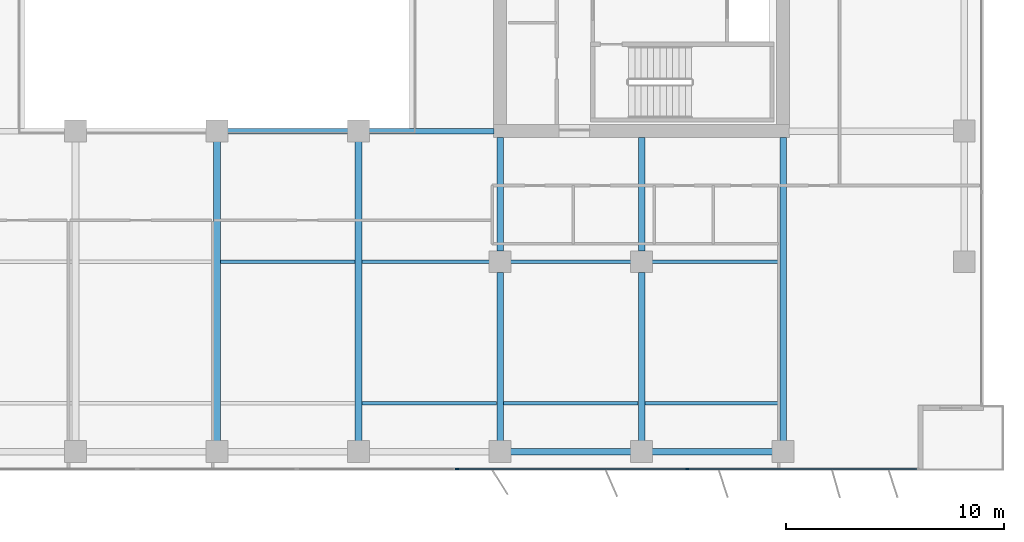
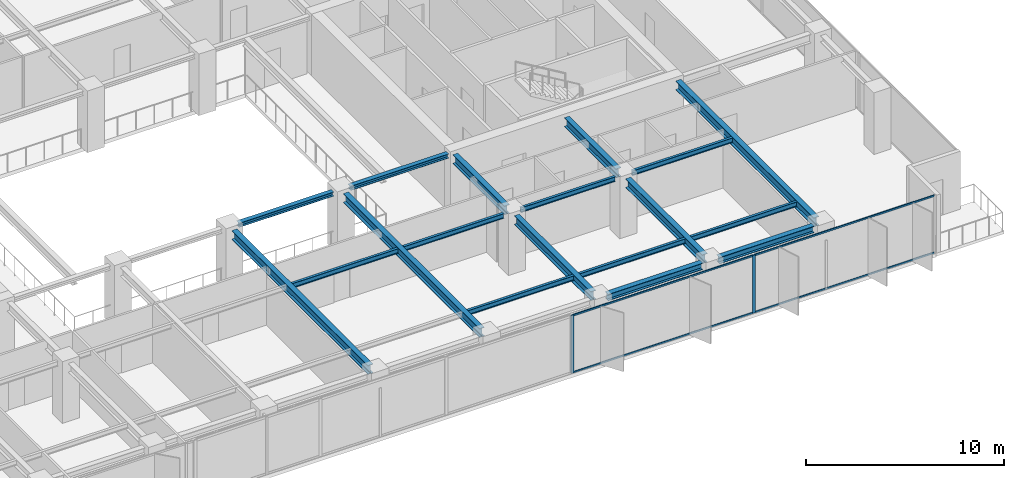
# One storey, part 6 of 22: 18 beams, 6 members, 1 element without a shape of its own.
"""IFC4 building model written with IfcOpenShell, lengths in metres."""

from ifc_helpers import new_model, si_unit, direction, frame, origin, origin_2d, place, context, subcontext, project, spatial, rectangle, i_section, extrude, material, layer, layer_set, material_profile, profile_set, type_object, element, aggregate, save


model = new_model("IFC4")

# Units and contexts
model_context = context("Model", 3, precision=1e-05, world=origin(), true_north=direction((0.0, 1.0)))
body_context = subcontext(model_context, "Body", "Model", "MODEL_VIEW")
ifc_project = project(units=[si_unit("LENGTHUNIT", "METRE"), si_unit("AREAUNIT", "SQUARE_METRE"), si_unit("VOLUMEUNIT", "CUBIC_METRE"), si_unit("PLANEANGLEUNIT", "RADIAN"), si_unit("MASSUNIT", "GRAM", prefix="KILO")], contexts=[model_context])

# Site, building, storey
site_placement = place(None, origin())
site = spatial("IfcSite", under=ifc_project, at=site_placement, CompositionType="ELEMENT")
building_placement = place(site_placement, origin())
building = spatial("IfcBuilding", under=site, at=building_placement, Name="Putna Gate Headquarters", CompositionType="ELEMENT")
storey_placement = place(building_placement, frame((0.0, 0.0, 182.199951171875)))
storey = spatial("IfcBuildingStorey", under=building, at=storey_placement, Name="L45", CompositionType="ELEMENT", Elevation=182.199951171875)

# Beams
ifc_material_1 = material(Name="Steel S355J2", Category="steel")
ifc_material_profile_1 = material_profile(ifc_material_1, i_section(OverallWidth=0.260009765625, OverallDepth=0.260009765625, WebThickness=0.010009765625, FlangeThickness=0.017578125, at=origin_2d()), Name="Steel S355J2")
ifc_profile_set_1 = profile_set([ifc_material_profile_1], Name="Steel S355J2")
beam_type_1 = type_object("IfcBeamType", Name="BM-ATRIUM-HEB260", PredefinedType="BEAM", material=ifc_profile_set_1)
beam_1_placement = place(storey_placement, frame((39.488037109375, 19.0, 3.442138671875), z_axis=(1.0, 0.0, 0.0), x_axis=(0.0, 1.0, 0.0)))
element("IfcBeam", 1, at=beam_1_placement, inside=storey, type_object=beam_type_1, Name="L45 Atrium Edge Beam AS3", PredefinedType="BEAM", context=body_context, shape_type="SweptSolid", body=[
    extrude(i_section(OverallWidth=0.260009765625, OverallDepth=0.260009765625, WebThickness=0.010009765625, FlangeThickness=0.017578125, at=origin_2d()), origin(), (0.0, 0.0, 1.0), 5.52392578125),
])
beam_2_placement = place(storey_placement, frame((45.988037109375, 19.0, 3.442138671875), z_axis=(1.0, 0.0, 0.0), x_axis=(0.0, 1.0, 0.0)))
element("IfcBeam", 2, at=beam_2_placement, inside=storey, type_object=beam_type_1, Name="L45 Atrium Edge Beam AS4", PredefinedType="BEAM", context=body_context, shape_type="SweptSolid", body=[
    extrude(i_section(OverallWidth=0.260009765625, OverallDepth=0.260009765625, WebThickness=0.010009765625, FlangeThickness=0.017578125, at=origin_2d()), origin(), (0.0, 0.0, 1.0), 5.72705078125),
])
ifc_material_profile_2 = material_profile(ifc_material_1, i_section(OverallWidth=0.300048828125, OverallDepth=0.550048828125, WebThickness=0.014892578125, FlangeThickness=0.029052734375, at=origin_2d()), Name="Steel S355J2")
ifc_profile_set_2 = profile_set([ifc_material_profile_2], Name="Steel S355J2")
beam_type_2 = type_object("IfcBeamType", Name="BM-GIRD-Z3-HEB550", PredefinedType="USERDEFINED", material=ifc_profile_set_2)
for number, where, z_axis, x_axis, name in (
    (3, (39.0, 4.76806640625, 3.297119140625), (0.0, 1.0, 0.0), (-1.0, 0.0, 0.0), "L45 South Primary Girder X39"),
    (4, (45.5, 4.76806640625, 3.297119140625), (0.0, 1.0, 0.0), (-1.0, 0.0, 0.0), "L45 South Primary Girder X45"),
):
    element("IfcBeam", number, at=place(storey_placement, frame(where, z_axis=z_axis, x_axis=x_axis)), inside=storey, type_object=beam_type_2, Name=name, ObjectType="GIRDER", PredefinedType="USERDEFINED", context=body_context, shape_type="SweptSolid", body=[
        extrude(i_section(OverallWidth=0.300048828125, OverallDepth=0.550048828125, WebThickness=0.014892578125, FlangeThickness=0.029052734375, at=origin_2d()), origin(), (0.0, 0.0, 1.0), 13.743896484375),
    ])
beam_3_placement = place(storey_placement, frame((52.0, 4.76806640625, 3.297119140625), z_axis=(0.0, 1.0, 0.0), x_axis=(-1.0, 0.0, 0.0)))
element("IfcBeam", 5, at=beam_3_placement, inside=storey, type_object=beam_type_2, Name="L45 South Primary Girder X52-1", ObjectType="GIRDER", PredefinedType="USERDEFINED", context=body_context, shape_type="SweptSolid", body=[
    extrude(i_section(OverallWidth=0.300048828125, OverallDepth=0.550048828125, WebThickness=0.014892578125, FlangeThickness=0.029052734375, at=origin_2d()), origin(), (0.0, 0.0, 1.0), 7.743896484375),
])
beam_4_placement = place(storey_placement, frame((52.0, 13.488037109375, 3.297119140625), z_axis=(0.0, 1.0, 0.0), x_axis=(-1.0, 0.0, 0.0)))
element("IfcBeam", 6, at=beam_4_placement, inside=storey, type_object=beam_type_2, Name="L45 South Primary Girder X52-2", ObjectType="GIRDER", PredefinedType="USERDEFINED", context=body_context, shape_type="SweptSolid", body=[
    extrude(i_section(OverallWidth=0.300048828125, OverallDepth=0.550048828125, WebThickness=0.014892578125, FlangeThickness=0.029052734375, at=origin_2d()), origin(), (0.0, 0.0, 1.0), 5.22705078125),
])
beam_5_placement = place(storey_placement, frame((58.5, 4.76806640625, 3.297119140625), z_axis=(0.0, 1.0, 0.0), x_axis=(-1.0, 0.0, 0.0)))
element("IfcBeam", 7, at=beam_5_placement, inside=storey, type_object=beam_type_2, Name="L45 South Primary Girder X58-1", ObjectType="GIRDER", PredefinedType="USERDEFINED", context=body_context, shape_type="SweptSolid", body=[
    extrude(i_section(OverallWidth=0.300048828125, OverallDepth=0.550048828125, WebThickness=0.014892578125, FlangeThickness=0.029052734375, at=origin_2d()), origin(), (0.0, 0.0, 1.0), 7.743896484375),
])
beam_6_placement = place(storey_placement, frame((58.5, 13.488037109375, 3.297119140625), z_axis=(0.0, 1.0, 0.0), x_axis=(-1.0, 0.0, 0.0)))
element("IfcBeam", 8, at=beam_6_placement, inside=storey, type_object=beam_type_2, Name="L45 South Primary Girder X58-2", ObjectType="GIRDER", PredefinedType="USERDEFINED", context=body_context, shape_type="SweptSolid", body=[
    extrude(i_section(OverallWidth=0.300048828125, OverallDepth=0.550048828125, WebThickness=0.014892578125, FlangeThickness=0.029052734375, at=origin_2d()), origin(), (0.0, 0.0, 1.0), 5.22705078125),
])
beam_7_placement = place(storey_placement, frame((65.0, 4.76806640625, 3.297119140625), z_axis=(0.0, 1.0, 0.0), x_axis=(-1.0, 0.0, 0.0)))
element("IfcBeam", 9, at=beam_7_placement, inside=storey, type_object=beam_type_2, Name="L45 South Primary Girder X65", ObjectType="GIRDER", PredefinedType="USERDEFINED", context=body_context, shape_type="SweptSolid", body=[
    extrude(i_section(OverallWidth=0.300048828125, OverallDepth=0.550048828125, WebThickness=0.014892578125, FlangeThickness=0.029052734375, at=origin_2d()), origin(), (0.0, 0.0, 1.0), 13.947021484375),
])
ifc_material_profile_3 = material_profile(ifc_material_1, i_section(OverallWidth=0.14990234375, OverallDepth=0.300048828125, WebThickness=0.007080078125, FlangeThickness=0.0107421875, at=origin_2d()), Name="Steel S355J2")
ifc_profile_set_3 = profile_set([ifc_material_profile_3], Name="Steel S355J2")
beam_type_3 = type_object("IfcBeamType", Name="BM-SEC-Z3-IPE300", PredefinedType="JOIST", material=ifc_profile_set_3)
for number, where, z_axis, x_axis, name in (
    (10, (39.154052734375, 13.0, 3.422119140625), (1.0, 0.0, 0.0), (0.0, 1.0, 0.0), "L45 South Secondary Beam 5"),
    (11, (45.654052734375, 6.5, 3.422119140625), (1.0, 0.0, 0.0), (0.0, 1.0, 0.0), "L45 South Secondary Beam 6"),
):
    element("IfcBeam", number, at=place(storey_placement, frame(where, z_axis=z_axis, x_axis=x_axis)), inside=storey, type_object=beam_type_3, Name=name, PredefinedType="JOIST", context=body_context, shape_type="SweptSolid", body=[
        extrude(i_section(OverallWidth=0.14990234375, OverallDepth=0.300048828125, WebThickness=0.007080078125, FlangeThickness=0.0107421875, at=origin_2d()), origin(), (0.0, 0.0, 1.0), 6.19189453125),
    ])
beam_8_placement = place(storey_placement, frame((45.654052734375, 13.0, 3.422119140625), z_axis=(1.0, 0.0, 0.0), x_axis=(0.0, 1.0, 0.0)))
element("IfcBeam", 12, at=beam_8_placement, inside=storey, type_object=beam_type_3, Name="L45 South Secondary Beam 6", PredefinedType="JOIST", context=body_context, shape_type="SweptSolid", body=[
    extrude(i_section(OverallWidth=0.14990234375, OverallDepth=0.300048828125, WebThickness=0.007080078125, FlangeThickness=0.0107421875, at=origin_2d()), origin(), (0.0, 0.0, 1.0), 5.85791015625),
])
beam_9_placement = place(storey_placement, frame((52.154052734375, 6.5, 3.422119140625), z_axis=(1.0, 0.0, 0.0), x_axis=(0.0, 1.0, 0.0)))
element("IfcBeam", 13, at=beam_9_placement, inside=storey, type_object=beam_type_3, Name="L45 South Secondary Beam 7", PredefinedType="JOIST", context=body_context, shape_type="SweptSolid", body=[
    extrude(i_section(OverallWidth=0.14990234375, OverallDepth=0.300048828125, WebThickness=0.007080078125, FlangeThickness=0.0107421875, at=origin_2d()), origin(), (0.0, 0.0, 1.0), 6.19189453125),
])
beam_10_placement = place(storey_placement, frame((52.488037109375, 13.0, 3.422119140625), z_axis=(1.0, 0.0, 0.0), x_axis=(0.0, 1.0, 0.0)))
element("IfcBeam", 14, at=beam_10_placement, inside=storey, type_object=beam_type_3, Name="L45 South Secondary Beam 7", PredefinedType="JOIST", context=body_context, shape_type="SweptSolid", body=[
    extrude(i_section(OverallWidth=0.14990234375, OverallDepth=0.300048828125, WebThickness=0.007080078125, FlangeThickness=0.0107421875, at=origin_2d()), origin(), (0.0, 0.0, 1.0), 5.52392578125),
])
beam_11_placement = place(storey_placement, frame((58.654052734375, 6.5, 3.422119140625), z_axis=(1.0, 0.0, 0.0), x_axis=(0.0, 1.0, 0.0)))
element("IfcBeam", 15, at=beam_11_placement, inside=storey, type_object=beam_type_3, Name="L45 South Secondary Beam 8", PredefinedType="JOIST", context=body_context, shape_type="SweptSolid", body=[
    extrude(i_section(OverallWidth=0.14990234375, OverallDepth=0.300048828125, WebThickness=0.007080078125, FlangeThickness=0.0107421875, at=origin_2d()), origin(), (0.0, 0.0, 1.0), 6.19189453125),
])
beam_12_placement = place(storey_placement, frame((58.988037109375, 13.0, 3.422119140625), z_axis=(1.0, 0.0, 0.0), x_axis=(0.0, 1.0, 0.0)))
element("IfcBeam", 16, at=beam_12_placement, inside=storey, type_object=beam_type_3, Name="L45 South Secondary Beam 8", PredefinedType="JOIST", context=body_context, shape_type="SweptSolid", body=[
    extrude(i_section(OverallWidth=0.14990234375, OverallDepth=0.300048828125, WebThickness=0.007080078125, FlangeThickness=0.0107421875, at=origin_2d()), origin(), (0.0, 0.0, 1.0), 5.85791015625),
])
ifc_material_profile_4 = material_profile(ifc_material_1, i_section(OverallWidth=0.300048828125, OverallDepth=0.39990234375, WebThickness=0.013427734375, FlangeThickness=0.02392578125, at=origin_2d()), Name="Steel S355J2")
ifc_profile_set_4 = profile_set([ifc_material_profile_4], Name="Steel S355J2")
beam_type_4 = type_object("IfcBeamType", Name="BM-SPAN-Z3-HEB400", PredefinedType="SPANDREL", material=ifc_profile_set_4)
for number, where, z_axis, x_axis, name in (
    (17, (52.488037109375, 4.280029296875, 3.3720703125), (1.0, 0.0, 0.0), (0.0, 1.0, 0.0), "L45 S Perimeter Spandrel 7"),
    (18, (58.988037109375, 4.280029296875, 3.3720703125), (1.0, 0.0, 0.0), (0.0, 1.0, 0.0), "L45 S Perimeter Spandrel 8"),
):
    element("IfcBeam", number, at=place(storey_placement, frame(where, z_axis=z_axis, x_axis=x_axis)), inside=storey, type_object=beam_type_4, Name=name, PredefinedType="SPANDREL", context=body_context, shape_type="SweptSolid", body=[
        extrude(i_section(OverallWidth=0.300048828125, OverallDepth=0.39990234375, WebThickness=0.013427734375, FlangeThickness=0.02392578125, at=origin_2d()), origin(), (0.0, 0.0, 1.0), 5.52392578125),
    ])

# Curtain wall, members
ifc_material_2 = material(Name="Anodised bronze aluminium curtain wall", Category="aluminium")
ifc_layer = layer(ifc_material_2, 0.159912109375)
ifc_layer_set = layer_set([ifc_layer], Name="Anodised bronze aluminium curtain wall")
curtain_wall_type = type_object("IfcCurtainWallType", Name="CW-SYS-Z3", PredefinedType="USERDEFINED", material=ifc_layer_set)
curtain_wall_placement = place(storey_placement, origin())
curtain_wall = element("IfcCurtainWall", 19, at=curtain_wall_placement, inside=storey, type_object=curtain_wall_type, Name="L45 South East Curtain Wall", ObjectType="STICK CURTAIN WALL", PredefinedType="USERDEFINED")
ifc_material_3 = material(Name="Anodised bronze aluminium EN AW-6060", Category="aluminium")
ifc_material_profile_5 = material_profile(ifc_material_3, rectangle(XDim=0.06494140625, YDim=0.159912109375, at=origin_2d()), Name="Anodised bronze aluminium EN AW-6060")
ifc_profile_set_5 = profile_set([ifc_material_profile_5], Name="Anodised bronze aluminium EN AW-6060")
member_type_1 = type_object("IfcMemberType", Name="MULL-CWM-3", PredefinedType="MULLION", material=ifc_profile_set_5)
member_1_placement = place(storey_placement, frame((50.032470703125, 3.47998046875, 0.0), z_axis=(0.0, 0.0, 1.0), x_axis=(0.0, 1.0, 0.0)))
member_1 = element("IfcMember", 20, at=member_1_placement, type_object=member_type_1, Name="CWS-3 mullion 1", PredefinedType="MULLION", context=body_context, shape_type="SweptSolid", body=[
    extrude(rectangle(XDim=0.06494140625, YDim=0.159912109375, at=origin_2d()), origin(), (0.0, 0.0, 1.0), 3.572021484375),
])
member_2_placement = place(storey_placement, frame((60.60009765625, 3.47998046875, 0.0), z_axis=(0.0, 0.0, 1.0), x_axis=(0.0, 1.0, 0.0)))
member_2 = element("IfcMember", 21, at=member_2_placement, type_object=member_type_1, Name="CWS-3 mullion 2", PredefinedType="MULLION", context=body_context, shape_type="SweptSolid", body=[
    extrude(rectangle(XDim=0.06494140625, YDim=0.159912109375, at=origin_2d()), origin(), (0.0, 0.0, 1.0), 3.572021484375),
])
ifc_material_profile_6 = material_profile(ifc_material_3, rectangle(XDim=0.06005859375, YDim=0.10009765625, at=origin_2d()), Name="Anodised bronze aluminium EN AW-6060")
ifc_profile_set_6 = profile_set([ifc_material_profile_6], Name="Anodised bronze aluminium EN AW-6060")
member_type_2 = type_object("IfcMemberType", Name="TRAN-CWT-3", PredefinedType="USERDEFINED", material=ifc_profile_set_6)
member_3_placement = place(storey_placement, frame((50.06494140625, 3.47998046875, 0.030029296875), z_axis=(1.0, 0.0, 0.0), x_axis=(0.0, 1.0, 0.0)))
member_3 = element("IfcMember", 22, at=member_3_placement, type_object=member_type_2, Name="CWS-3 transom 1.1", ObjectType="TRANSOM", PredefinedType="USERDEFINED", context=body_context, shape_type="SweptSolid", body=[
    extrude(rectangle(XDim=0.06005859375, YDim=0.10009765625, at=origin_2d()), origin(), (0.0, 0.0, 1.0), 10.50244140625),
])
member_4_placement = place(storey_placement, frame((50.06494140625, 3.47998046875, 3.5419921875), z_axis=(1.0, 0.0, 0.0), x_axis=(0.0, 1.0, 0.0)))
member_4 = element("IfcMember", 23, at=member_4_placement, type_object=member_type_2, Name="CWS-3 transom 1.2", ObjectType="TRANSOM", PredefinedType="USERDEFINED", context=body_context, shape_type="SweptSolid", body=[
    extrude(rectangle(XDim=0.06005859375, YDim=0.10009765625, at=origin_2d()), origin(), (0.0, 0.0, 1.0), 10.50244140625),
])
member_5_placement = place(storey_placement, frame((60.632568359375, 3.47998046875, 0.030029296875), z_axis=(1.0, 0.0, 0.0), x_axis=(0.0, 1.0, 0.0)))
member_5 = element("IfcMember", 24, at=member_5_placement, type_object=member_type_2, Name="CWS-3 transom 2.1", ObjectType="TRANSOM", PredefinedType="USERDEFINED", context=body_context, shape_type="SweptSolid", body=[
    extrude(rectangle(XDim=0.06005859375, YDim=0.10009765625, at=origin_2d()), origin(), (0.0, 0.0, 1.0), 10.50244140625),
])
member_6_placement = place(storey_placement, frame((60.632568359375, 3.47998046875, 3.5419921875), z_axis=(1.0, 0.0, 0.0), x_axis=(0.0, 1.0, 0.0)))
member_6 = element("IfcMember", 25, at=member_6_placement, type_object=member_type_2, Name="CWS-3 transom 2.2", ObjectType="TRANSOM", PredefinedType="USERDEFINED", context=body_context, shape_type="SweptSolid", body=[
    extrude(rectangle(XDim=0.06005859375, YDim=0.10009765625, at=origin_2d()), origin(), (0.0, 0.0, 1.0), 10.50244140625),
])
aggregate(curtain_wall, [member_1, member_2, member_3, member_4, member_5, member_6])

save(model, "model.ifc")
